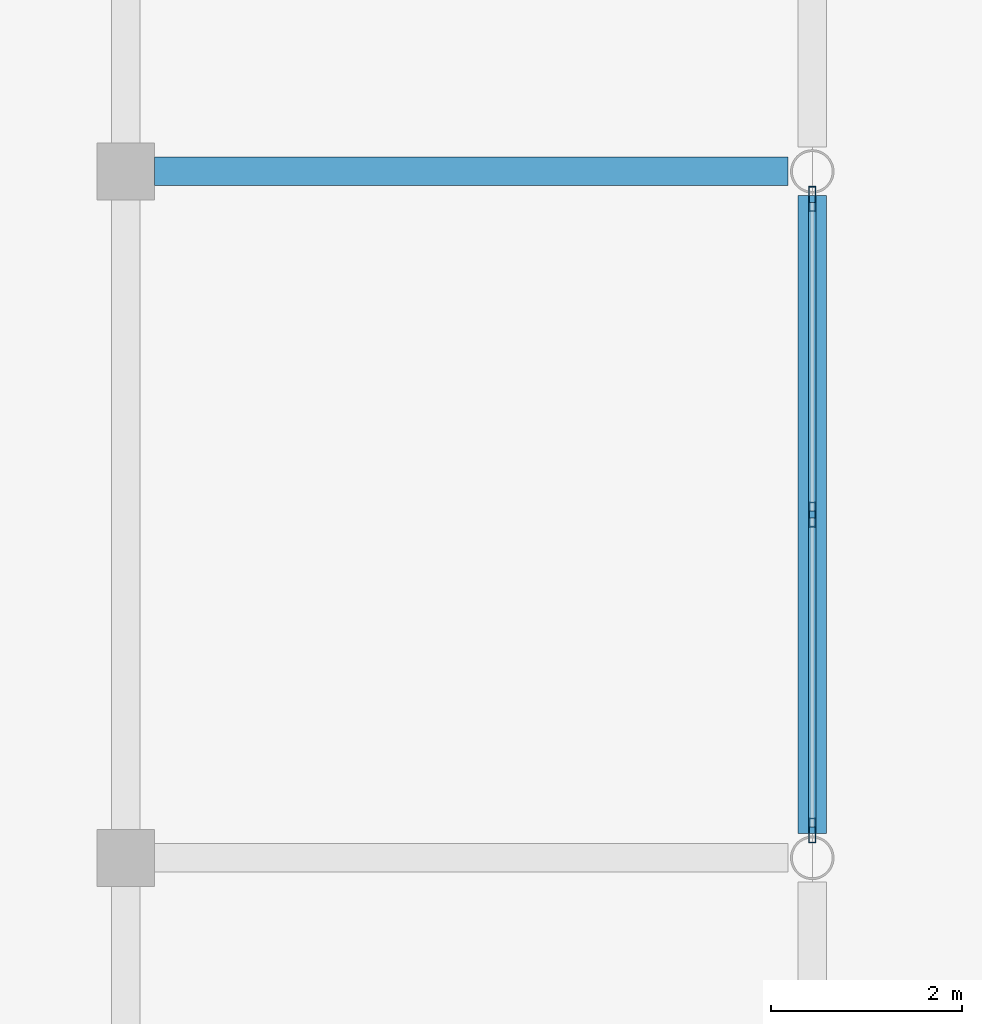
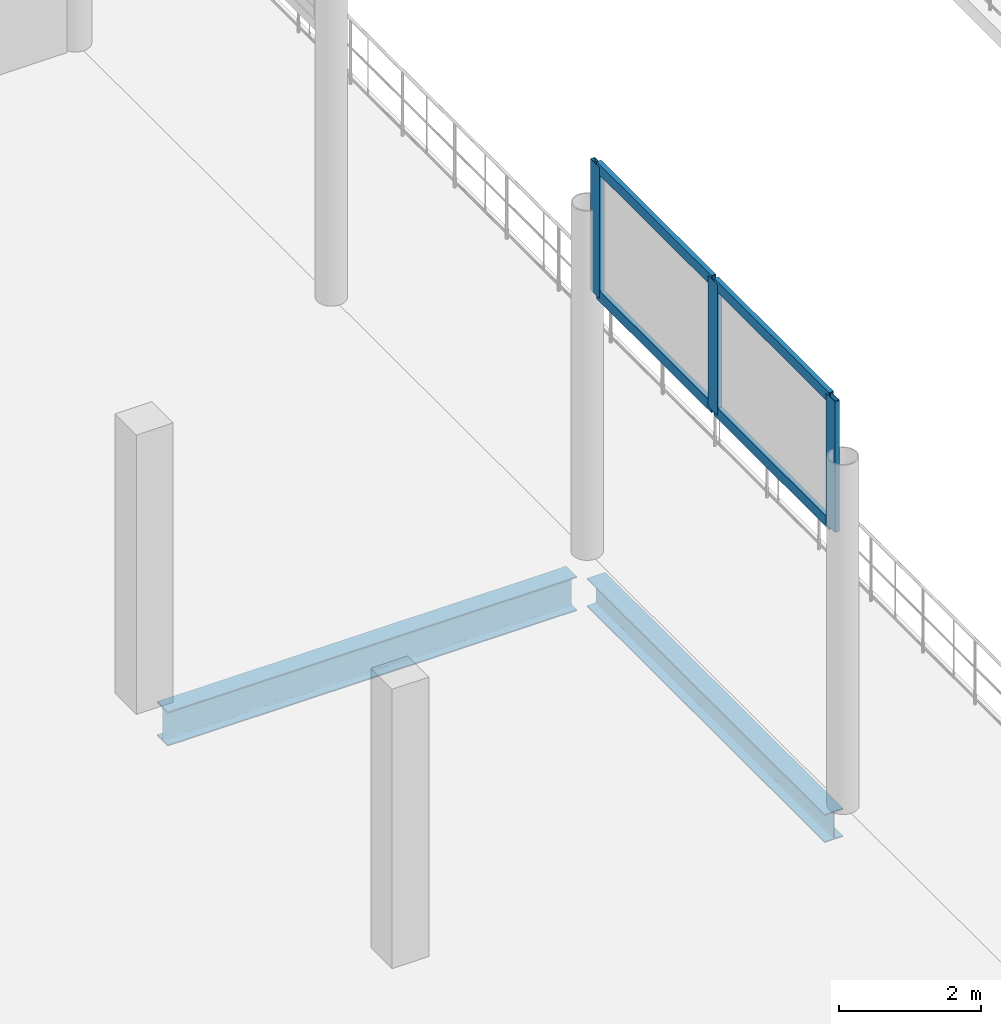
# One storey, part 35 of 120: 7 members, 2 beams, 1 element without a shape of its own.
"""IFC4 building model written with IfcOpenShell, lengths in metres."""

from ifc_helpers import new_model, si_unit, direction, frame, origin, origin_2d, place, context, subcontext, project, spatial, hollow_rectangle, i_section, extrude, material, material_profile, profile_set, type_object, element, aggregate, save


model = new_model("IFC4")

# Units and contexts
model_context = context("Model", 3, precision=1e-05, world=origin(), true_north=direction((0.0, 1.0)))
body_context = subcontext(model_context, "Body", "Model", "MODEL_VIEW")
ifc_project = project(units=[si_unit("LENGTHUNIT", "METRE"), si_unit("AREAUNIT", "SQUARE_METRE"), si_unit("VOLUMEUNIT", "CUBIC_METRE"), si_unit("PLANEANGLEUNIT", "RADIAN"), si_unit("MASSUNIT", "GRAM", prefix="KILO")], contexts=[model_context])

# Site, building, storey
site_placement = place(None, origin())
site = spatial("IfcSite", under=ifc_project, at=site_placement, CompositionType="ELEMENT")
building_placement = place(site_placement, origin())
building = spatial("IfcBuilding", under=site, at=building_placement, Name="Vesperath Aquatics Centre", CompositionType="ELEMENT")
storey_placement = place(building_placement, frame((0.0, 0.0, 10.199951171875)))
storey = spatial("IfcBuildingStorey", under=building, at=storey_placement, Name="L02", CompositionType="ELEMENT", Elevation=10.199951171875)

# Beams
ifc_material_1 = material(Name="Steel Q355C", Category="steel")
ifc_material_profile_1 = material_profile(ifc_material_1, i_section(OverallWidth=0.300048828125, OverallDepth=0.587890625, WebThickness=0.011962890625, FlangeThickness=0.02001953125, FilletRadius=0.028076171875, at=origin_2d()), Name="HM 588x300x12x20")
ifc_profile_set_1 = profile_set([ifc_material_profile_1], Name="Steel Q355C")
beam_type_1 = type_object("IfcBeamType", Name="BM-G09", PredefinedType="BEAM", material=ifc_profile_set_1)
beam_1_placement = place(storey_placement, frame((93.89990234375, 43.199951171875, -0.553955078125), z_axis=(1.0, 0.0, 0.0), x_axis=(0.0, 1.0, 0.0)))
element("IfcBeam", 1, at=beam_1_placement, inside=storey, type_object=beam_type_1, Name="Floor Girder B09 L02 G 14-15", PredefinedType="BEAM", context=body_context, shape_type="SweptSolid", body=[
    extrude(i_section(OverallWidth=0.300048828125, OverallDepth=0.587890625, WebThickness=0.011962890625, FlangeThickness=0.02001953125, FilletRadius=0.028076171875, at=origin_2d()), origin(), (0.0, 0.0, 1.0), 6.64599609375),
])
ifc_material_profile_2 = material_profile(ifc_material_1, i_section(OverallWidth=0.300048828125, OverallDepth=0.488037109375, WebThickness=0.010986328125, FlangeThickness=0.01806640625, FilletRadius=0.02587890625, at=origin_2d()), Name="HM 488x300x11x18")
ifc_profile_set_2 = profile_set([ifc_material_profile_2], Name="Steel Q355C")
beam_type_2 = type_object("IfcBeamType", Name="BM-G10", PredefinedType="BEAM", material=ifc_profile_set_2)
beam_2_placement = place(storey_placement, frame((100.800048828125, 36.25390625, -0.50390625), z_axis=(0.0, 1.0, 0.0), x_axis=(-1.0, 0.0, 0.0)))
element("IfcBeam", 2, at=beam_2_placement, inside=storey, type_object=beam_type_2, Name="Floor Girder B10 L02 15 F-G", PredefinedType="BEAM", context=body_context, shape_type="SweptSolid", body=[
    extrude(i_section(OverallWidth=0.300048828125, OverallDepth=0.488037109375, WebThickness=0.010986328125, FlangeThickness=0.01806640625, FilletRadius=0.02587890625, at=origin_2d()), origin(), (0.0, 0.0, 1.0), 6.692138671875),
])

# Curtain wall, members
ifc_material_2 = material(Name="Thermally broken anodised bronze aluminium curtain wall", Category="aluminium")
curtain_wall_type = type_object("IfcCurtainWallType", Name="CW-09", PredefinedType="NOTDEFINED", material=ifc_material_2)
curtain_wall_placement = place(storey_placement, origin())
curtain_wall = element("IfcCurtainWall", 3, at=curtain_wall_placement, inside=storey, type_object=curtain_wall_type, Name="Natatorium End Clerestory Curtain Wall CW09 E-6", PredefinedType="NOTDEFINED")
ifc_material_3 = material(Name="Thermally broken anodised aluminium", Category="aluminium")
ifc_material_profile_3 = material_profile(ifc_material_3, hollow_rectangle(XDim=0.074951171875, YDim=0.260009765625, WallThickness=0.006103515625, at=origin_2d()), Name="CWM 75x260x6")
ifc_profile_set_3 = profile_set([ifc_material_profile_3], Name="Thermally broken anodised aluminium")
member_type_1 = type_object("IfcMemberType", Name="MB-CWM1", PredefinedType="MULLION", material=ifc_profile_set_3)
member_1_placement = place(storey_placement, frame((100.800048828125, 36.28759765625, 4.60009765625), z_axis=(0.0, 0.0, 1.0), x_axis=(-1.0, 0.0, 0.0)))
member_1 = element("IfcMember", 4, at=member_1_placement, type_object=member_type_1, Name="CW09 mullion 1", PredefinedType="MULLION", context=body_context, shape_type="SweptSolid", body=[
    extrude(hollow_rectangle(XDim=0.074951171875, YDim=0.260009765625, WallThickness=0.006103515625, at=origin_2d()), origin(), (0.0, 0.0, 1.0), 2.25),
])
member_2_placement = place(storey_placement, frame((100.800048828125, 39.60009765625, 4.60009765625), z_axis=(0.0, 0.0, 1.0), x_axis=(-1.0, 0.0, 0.0)))
member_2 = element("IfcMember", 5, at=member_2_placement, type_object=member_type_1, Name="CW09 mullion 2", PredefinedType="MULLION", context=body_context, shape_type="SweptSolid", body=[
    extrude(hollow_rectangle(XDim=0.074951171875, YDim=0.260009765625, WallThickness=0.006103515625, at=origin_2d()), origin(), (0.0, 0.0, 1.0), 2.25),
])
member_3_placement = place(storey_placement, frame((100.800048828125, 42.91259765625, 4.60009765625), z_axis=(0.0, 0.0, 1.0), x_axis=(-1.0, 0.0, 0.0)))
member_3 = element("IfcMember", 6, at=member_3_placement, type_object=member_type_1, Name="CW09 mullion 3", PredefinedType="MULLION", context=body_context, shape_type="SweptSolid", body=[
    extrude(hollow_rectangle(XDim=0.074951171875, YDim=0.260009765625, WallThickness=0.006103515625, at=origin_2d()), origin(), (0.0, 0.0, 1.0), 2.25),
])
ifc_material_profile_4 = material_profile(ifc_material_3, hollow_rectangle(XDim=0.074951171875, YDim=0.179931640625, WallThickness=0.0048828125, at=origin_2d()), Name="CWT 75x180x5")
ifc_profile_set_4 = profile_set([ifc_material_profile_4], Name="Thermally broken anodised aluminium")
member_type_2 = type_object("IfcMemberType", Name="MB-CWT1", PredefinedType="USERDEFINED", material=ifc_profile_set_4)
member_4_placement = place(storey_placement, frame((100.800048828125, 36.324951171875, 4.637451171875), z_axis=(0.0, 1.0, 0.0), x_axis=(-1.0, 0.0, 0.0)))
member_4 = element("IfcMember", 7, at=member_4_placement, type_object=member_type_2, Name="CW09 transom 1.1", ObjectType="TRANSOM", PredefinedType="USERDEFINED", context=body_context, shape_type="SweptSolid", body=[
    extrude(hollow_rectangle(XDim=0.074951171875, YDim=0.179931640625, WallThickness=0.0048828125, at=origin_2d()), origin(), (0.0, 0.0, 1.0), 3.237548828125),
])
member_5_placement = place(storey_placement, frame((100.800048828125, 36.324951171875, 6.8125), z_axis=(0.0, 1.0, 0.0), x_axis=(-1.0, 0.0, 0.0)))
member_5 = element("IfcMember", 8, at=member_5_placement, type_object=member_type_2, Name="CW09 transom 1.2", ObjectType="TRANSOM", PredefinedType="USERDEFINED", context=body_context, shape_type="SweptSolid", body=[
    extrude(hollow_rectangle(XDim=0.074951171875, YDim=0.179931640625, WallThickness=0.0048828125, at=origin_2d()), origin(), (0.0, 0.0, 1.0), 3.237548828125),
])
member_6_placement = place(storey_placement, frame((100.800048828125, 39.637451171875, 4.637451171875), z_axis=(0.0, 1.0, 0.0), x_axis=(-1.0, 0.0, 0.0)))
member_6 = element("IfcMember", 9, at=member_6_placement, type_object=member_type_2, Name="CW09 transom 2.1", ObjectType="TRANSOM", PredefinedType="USERDEFINED", context=body_context, shape_type="SweptSolid", body=[
    extrude(hollow_rectangle(XDim=0.074951171875, YDim=0.179931640625, WallThickness=0.0048828125, at=origin_2d()), origin(), (0.0, 0.0, 1.0), 3.237548828125),
])
member_7_placement = place(storey_placement, frame((100.800048828125, 39.637451171875, 6.8125), z_axis=(0.0, 1.0, 0.0), x_axis=(-1.0, 0.0, 0.0)))
member_7 = element("IfcMember", 10, at=member_7_placement, type_object=member_type_2, Name="CW09 transom 2.2", ObjectType="TRANSOM", PredefinedType="USERDEFINED", context=body_context, shape_type="SweptSolid", body=[
    extrude(hollow_rectangle(XDim=0.074951171875, YDim=0.179931640625, WallThickness=0.0048828125, at=origin_2d()), origin(), (0.0, 0.0, 1.0), 3.237548828125),
])
aggregate(curtain_wall, [member_1, member_2, member_3, member_4, member_5, member_6, member_7])

save(model, "model.ifc")
